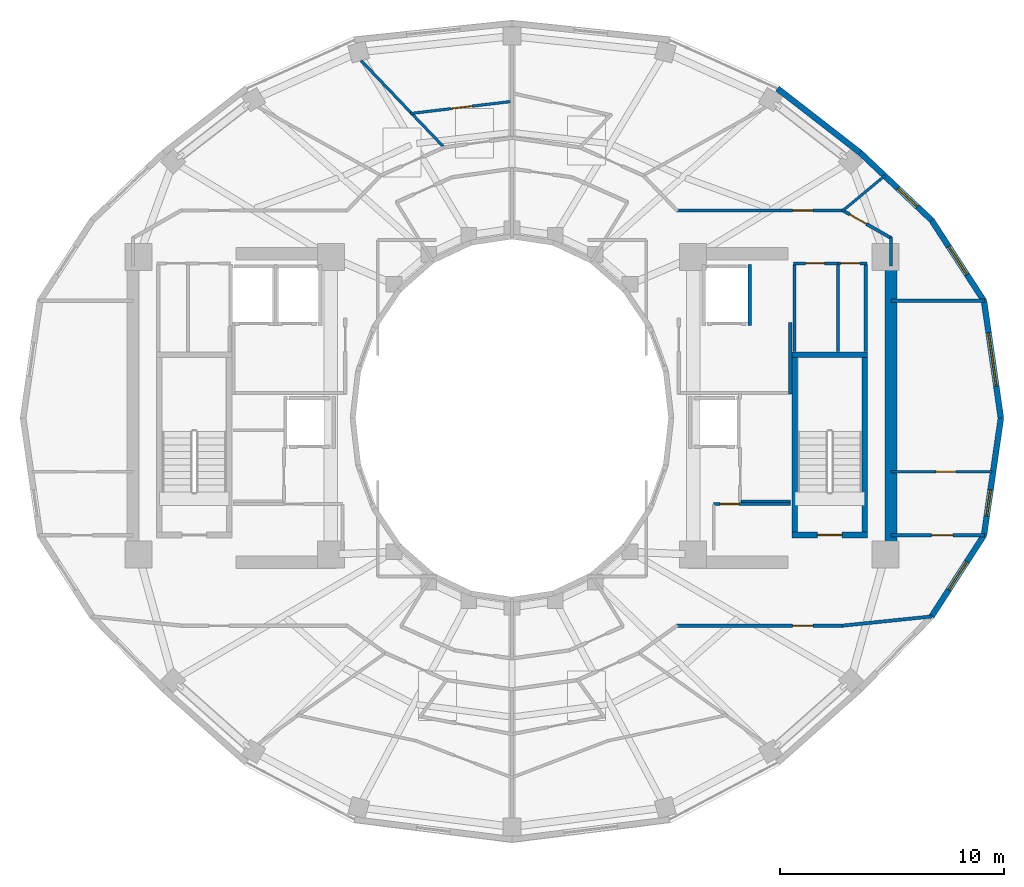
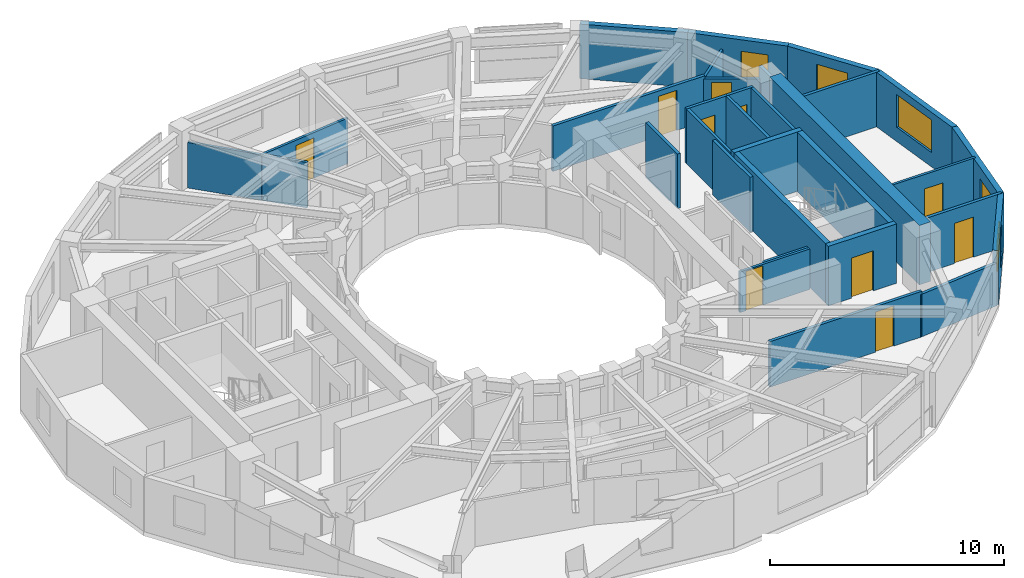
# One storey, part 13 of 16: 31 walls, 10 doors, 5 windows, 15 openings.
"""IFC4 building model written with IfcOpenShell, lengths in metres."""

from ifc_helpers import new_model, si_unit, direction, frame, frame_2d, origin, place, context, subcontext, project, spatial, rectangle, extrude, material, layer, layer_set, type_object, element, fill, save


model = new_model("IFC4")

# Units and contexts
model_context = context("Model", 3, precision=1e-05, world=origin(), true_north=direction((0.0, 1.0)))
body_context = subcontext(model_context, "Body", "Model", "MODEL_VIEW")
ifc_project = project(units=[si_unit("LENGTHUNIT", "METRE"), si_unit("AREAUNIT", "SQUARE_METRE"), si_unit("VOLUMEUNIT", "CUBIC_METRE"), si_unit("PLANEANGLEUNIT", "RADIAN"), si_unit("MASSUNIT", "GRAM", prefix="KILO")], contexts=[model_context])

# Site, building, storey
site_placement = place(None, origin())
site = spatial("IfcSite", under=ifc_project, at=site_placement, CompositionType="ELEMENT")
building_placement = place(site_placement, origin())
building = spatial("IfcBuilding", under=site, at=building_placement, Name="Solvane Sanctuary Tower", CompositionType="ELEMENT")
storey_placement = place(building_placement, frame((0.0, 0.0, 226.39990234375)))
storey = spatial("IfcBuildingStorey", under=building, at=storey_placement, Name="L69", CompositionType="ELEMENT", Elevation=226.39990234375)

# Walls
ifc_material_1 = material(Name="Concrete C50/60", Category="concrete")
ifc_layer_1 = layer(ifc_material_1, 0.550048828125, Name="Concrete C50/60")
ifc_layer_set_1 = layer_set([ifc_layer_1], Name="Concrete C50/60")
wall_type_1 = type_object("IfcWallType", Name="Wall W-CORE-550", PredefinedType="SHEAR", material=ifc_layer_set_1)
wall_1_placement = place(storey_placement, frame((48.949951171875, 17.050048828125, 0.0), z_axis=(0.0, 0.0, 1.0), x_axis=(0.0, 1.0, 0.0)))
element("IfcWall", 1, at=wall_1_placement, inside=storey, type_object=wall_type_1, Name="L69 Core Shear Wall EC-E", PredefinedType="SHEAR", context=body_context, shape_type="SweptSolid", body=[
    extrude(rectangle(XDim=12.800048828125, YDim=0.550048828125, at=frame_2d((6.39990234375, 0.0))), origin(), (0.0, 0.0, 1.0), 3.10009765625),
])
ifc_material_2 = material(Name="Acoustic Gypsum Partition Board")
ifc_layer_2 = layer(ifc_material_2, 0.14990234375, Name="Acoustic Gypsum Partition Board")
ifc_layer_set_2 = layer_set([ifc_layer_2], Name="Acoustic Gypsum Partition Board")
wall_type_2 = type_object("IfcWallType", Name="Wall W-CORR-150", PredefinedType="PARTITIONING", material=ifc_layer_set_2)
wall_2_placement = place(storey_placement, frame((44.449951171875, 24.080078125, 0.0), z_axis=(0.0, 0.0, 1.0), x_axis=(0.0, 1.0, 0.0)))
element("IfcWall", 2, at=wall_2_placement, inside=storey, type_object=wall_type_2, Name="L69 East Firefighting Lobby East Wall", PredefinedType="PARTITIONING", context=body_context, shape_type="SweptSolid", body=[
    extrude(rectangle(XDim=3.199951171875, YDim=0.14990234375, at=frame_2d((1.60009765625, 0.0))), origin(), (0.0, 0.0, 1.0), 2.85498046875),
])

# Wall, opening, door
wall_3_placement = place(storey_placement, frame((48.949951171875, 17.754638671875, 0.0), z_axis=(0.0, 0.0, 1.0), x_axis=(1.0, 0.0, 0.0)))
wall_3 = element("IfcWall", 3, at=wall_3_placement, inside=storey, type_object=wall_type_2, Name="L69 East Shoulder South Wall", PredefinedType="PARTITIONING", context=body_context, shape_type="SweptSolid", body=[
    extrude(rectangle(XDim=4.174560546875, YDim=0.14990234375, at=frame_2d((2.08740234375, 0.0))), origin(), (0.0, 0.0, 1.0), 2.85498046875),
])
opening_1_placement = place(wall_3_placement, frame((1.817138671875, 0.0, 0.0)))
opening_1 = element("IfcOpeningElement", 4, at=opening_1_placement, cuts=wall_3, Name="Opening D-L69-17", PredefinedType="OPENING", context=body_context, shape_type="SweptSolid", body=[
    extrude(rectangle(XDim=0.949951171875, YDim=2.10009765625, at=frame_2d((0.47509765625, 1.050048828125))), frame((0.0, 0.0849609375, 0.0), z_axis=(0.0, -1.0, 0.0), x_axis=(1.0, 0.0, 0.0)), (0.0, 0.0, 1.0), 0.169921875),
])
ifc_material_3 = material(Name="Engineered Tropical Hardwood", Category="wood")
door_type_1 = type_object("IfcDoorType", Name="Door D-ROOM-950", OperationType="NOTDEFINED", PredefinedType="DOOR", material=ifc_material_3)
door_1_placement = place(opening_1_placement, origin())
door_1 = element("IfcDoor", 5, at=door_1_placement, inside=storey, type_object=door_type_1, Name="L69 East Shoulder South Door", OperationType="SINGLE_SWING_RIGHT", OverallHeight=2.10009765625, OverallWidth=0.949951171875, PredefinedType="DOOR", context=body_context, shape_type="SweptSolid", body=[
    extrude(rectangle(XDim=0.949951171875, YDim=2.10009765625, at=frame_2d((0.47509765625, 1.050048828125))), frame((0.0, 0.02490234375, 0.0), z_axis=(0.0, -1.0, 0.0), x_axis=(1.0, 0.0, 0.0)), (0.0, 0.0, 1.0), 0.050048828125),
])
fill(opening_1, door_1)

# Walls
wall_4_placement = place(storey_placement, frame((48.949951171875, 28.245361328125, 0.0), z_axis=(0.0, 0.0, 1.0), x_axis=(1.0, 0.0, 0.0)))
element("IfcWall", 6, at=wall_4_placement, inside=storey, type_object=wall_type_2, Name="L69 East Shoulder North Wall", PredefinedType="PARTITIONING", context=body_context, shape_type="SweptSolid", body=[
    extrude(rectangle(XDim=4.174560546875, YDim=0.14990234375, at=frame_2d((2.08740234375, 0.0))), origin(), (0.0, 0.0, 1.0), 2.85498046875),
])
wall_5_placement = place(storey_placement, frame((48.949951171875, 29.800048828125, 0.0), z_axis=(0.0, 0.0, 1.0), x_axis=(0.0, 1.0, 0.0)))
element("IfcWall", 7, at=wall_5_placement, inside=storey, type_object=wall_type_2, Name="L69 NE Corner Closer 1", PredefinedType="PARTITIONING", context=body_context, shape_type="SweptSolid", body=[
    extrude(rectangle(XDim=1.2900390625, YDim=0.14990234375, at=frame_2d((0.64501953125, 0.0))), origin(), (0.0, 0.0, 1.0), 2.85498046875),
])

# Wall, opening, door
wall_6_placement = place(storey_placement, frame((39.330078125, 32.280029296875, 0.0), z_axis=(0.0, 0.0, 1.0), x_axis=(1.0, 0.0, 0.0)))
wall_6 = element("IfcWall", 8, at=wall_6_placement, inside=storey, type_object=wall_type_2, Name="L69 NE Corner Corridor Wall", PredefinedType="PARTITIONING", context=body_context, shape_type="SweptSolid", body=[
    extrude(rectangle(XDim=7.52001953125, YDim=0.14990234375, at=frame_2d((3.760009765625, 0.0))), origin(), (0.0, 0.0, 1.0), 2.3759765625),
])
opening_2_placement = place(wall_6_placement, frame((5.219970703125, 0.0, 0.0)))
opening_2 = element("IfcOpeningElement", 9, at=opening_2_placement, cuts=wall_6, Name="Opening D-L69-21", PredefinedType="OPENING", context=body_context, shape_type="SweptSolid", body=[
    extrude(rectangle(XDim=0.89990234375, YDim=2.10009765625, at=frame_2d((0.449951171875, 1.050048828125))), frame((0.0, 0.0849609375, 0.0), z_axis=(0.0, -1.0, 0.0), x_axis=(1.0, 0.0, 0.0)), (0.0, 0.0, 1.0), 0.169921875),
])
door_type_2 = type_object("IfcDoorType", Name="Door D-WET-900", OperationType="NOTDEFINED", PredefinedType="DOOR", material=ifc_material_3)
door_2_placement = place(opening_2_placement, origin())
door_2 = element("IfcDoor", 10, at=door_2_placement, inside=storey, type_object=door_type_2, Name="L69 NE Corner Salon Door", OperationType="SINGLE_SWING_RIGHT", OverallHeight=2.10009765625, OverallWidth=0.89990234375, PredefinedType="DOOR", context=body_context, shape_type="SweptSolid", body=[
    extrude(rectangle(XDim=0.89990234375, YDim=2.10009765625, at=frame_2d((0.449951171875, 1.050048828125))), frame((0.0, 0.02490234375, 0.0), z_axis=(0.0, -1.0, 0.0), x_axis=(1.0, 0.0, 0.0)), (0.0, 0.0, 1.0), 0.050048828125),
])
fill(opening_2, door_2)

wall_7_placement = place(storey_placement, frame((46.756591796875, 32.3046875, 0.0), z_axis=(0.0, 0.0, 1.0), x_axis=(0.867991349648, -0.496579315857, 0.0)))
wall_7 = element("IfcWall", 11, at=wall_7_placement, inside=storey, type_object=wall_type_2, Name="L69 NE Corner Wing Wall", PredefinedType="PARTITIONING", context=body_context, shape_type="SweptSolid", body=[
    extrude(rectangle(XDim=2.56689453125, YDim=0.14990234375, at=frame_2d((1.283447265625, 0.0))), origin(), (0.0, 0.0, 1.0), 2.22021484375),
])
opening_3_placement = place(wall_7_placement, frame((0.404052734375, 0.0, 0.0)))
opening_3 = element("IfcOpeningElement", 12, at=opening_3_placement, cuts=wall_7, Name="Opening D-L69-22", PredefinedType="OPENING", context=body_context, shape_type="SweptSolid", body=[
    extrude(rectangle(XDim=0.85009765625, YDim=2.050048828125, at=frame_2d((0.425048828125, 1.02490234375))), frame((0.0, 0.0849609375, 0.0), z_axis=(0.0, -1.0, 0.0), x_axis=(1.0, 0.0, 0.0)), (0.0, 0.0, 1.0), 0.169921875),
])
ifc_material_4 = material(Name="Architectural Stainless Steel 316", Category="steel")
door_type_3 = type_object("IfcDoorType", Name="Door D-RISER", OperationType="NOTDEFINED", PredefinedType="DOOR", material=ifc_material_4)
door_3_placement = place(opening_3_placement, origin())
door_3 = element("IfcDoor", 13, at=door_3_placement, inside=storey, type_object=door_type_3, Name="L69 NE Corner Suite Door", OperationType="SINGLE_SWING_LEFT", OverallHeight=2.050048828125, OverallWidth=0.85009765625, PredefinedType="DOOR", context=body_context, shape_type="SweptSolid", body=[
    extrude(rectangle(XDim=0.85009765625, YDim=2.050048828125, at=frame_2d((0.425048828125, 1.02490234375))), frame((0.0, 0.02490234375, 0.0), z_axis=(0.0, -1.0, 0.0), x_axis=(1.0, 0.0, 0.0)), (0.0, 0.0, 1.0), 0.050048828125),
])
fill(opening_3, door_3)

wall_8_placement = place(storey_placement, frame((39.330078125, 13.719970703125, 0.0), z_axis=(0.0, 0.0, 1.0), x_axis=(1.0, 0.0, 0.0)))
wall_8 = element("IfcWall", 14, at=wall_8_placement, inside=storey, type_object=wall_type_2, Name="L69 SE Corner Corridor Wall", PredefinedType="PARTITIONING", context=body_context, shape_type="SweptSolid", body=[
    extrude(rectangle(XDim=7.52001953125, YDim=0.14990234375, at=frame_2d((3.760009765625, 0.0))), origin(), (0.0, 0.0, 1.0), 2.3759765625),
])
opening_4_placement = place(wall_8_placement, frame((5.219970703125, 0.0, 0.0)))
opening_4 = element("IfcOpeningElement", 15, at=opening_4_placement, cuts=wall_8, Name="Opening D-L69-25", PredefinedType="OPENING", context=body_context, shape_type="SweptSolid", body=[
    extrude(rectangle(XDim=0.89990234375, YDim=2.10009765625, at=frame_2d((0.449951171875, 1.050048828125))), frame((0.0, 0.0849609375, 0.0), z_axis=(0.0, -1.0, 0.0), x_axis=(1.0, 0.0, 0.0)), (0.0, 0.0, 1.0), 0.169921875),
])
door_4_placement = place(opening_4_placement, origin())
door_4 = element("IfcDoor", 16, at=door_4_placement, inside=storey, type_object=door_type_2, Name="L69 SE Corner Salon Door", OperationType="SINGLE_SWING_RIGHT", OverallHeight=2.10009765625, OverallWidth=0.89990234375, PredefinedType="DOOR", context=body_context, shape_type="SweptSolid", body=[
    extrude(rectangle(XDim=0.89990234375, YDim=2.10009765625, at=frame_2d((0.449951171875, 1.050048828125))), frame((0.0, 0.02490234375, 0.0), z_axis=(0.0, -1.0, 0.0), x_axis=(1.0, 0.0, 0.0)), (0.0, 0.0, 1.0), 0.050048828125),
])
fill(opening_4, door_4)

# Wall
wall_9_placement = place(storey_placement, frame((46.750244140625, 13.71484375, 0.0), z_axis=(0.0, 0.0, 1.0), x_axis=(0.994734711466, 0.102483431859, 0.0)))
element("IfcWall", 17, at=wall_9_placement, inside=storey, type_object=wall_type_2, Name="L69 SE Corner Wing Wall", PredefinedType="PARTITIONING", context=body_context, shape_type="SweptSolid", body=[
    extrude(rectangle(XDim=4.04736328125, YDim=0.14990234375, at=frame_2d((2.023681640625, 0.0))), origin(), (0.0, 0.0, 1.0), 2.22021484375),
])

# Wall, opening, window
ifc_material_5 = material(Name="Precast concrete C40/50", Category="concrete")
ifc_layer_3 = layer(ifc_material_5, 0.260009765625, Name="Precast concrete C40/50")
ifc_layer_set_3 = layer_set([ifc_layer_3], Name="Precast concrete C40/50")
wall_type_3 = type_object("IfcWallType", Name="Wall W-EXT-250", PredefinedType="STANDARD", material=ifc_layer_set_3)
wall_10_placement = place(storey_placement, frame((53.860107421875, 23.0, 0.0), z_axis=(0.0, 0.0, 1.0), x_axis=(-0.142712754019, 0.989764148593, 0.0)))
wall_10 = element("IfcWall", 18, at=wall_10_placement, inside=storey, type_object=wall_type_3, Name="L69 Ceramic-Printed Facade Wall 00", PredefinedType="STANDARD", context=body_context, shape_type="SweptSolid", body=[
    extrude(rectangle(XDim=5.29296875, YDim=0.260009765625, at=frame_2d((2.646484375, 0.0))), origin(), (0.0, 0.0, 1.0), 2.85009765625),
])
opening_5_placement = place(wall_10_placement, frame((1.446533203125, 0.0, 0.75)))
opening_5 = element("IfcOpeningElement", 19, at=opening_5_placement, cuts=wall_10, Name="Opening WN-RIB-2400", PredefinedType="OPENING", context=body_context, shape_type="SweptSolid", body=[
    extrude(rectangle(XDim=2.39990234375, YDim=1.699951171875, at=frame_2d((1.199951171875, 0.85009765625))), frame((0.0, 0.139892578125, 0.0), z_axis=(0.0, -1.0, 0.0), x_axis=(1.0, 0.0, 0.0)), (0.0, 0.0, 1.0), 0.280029296875),
])
ifc_material_6 = material(Name="Dark Ceramic-Fritted Low-E Glass", Category="glass")
window_type_1 = type_object("IfcWindowType", Name="Window WN-RIB-2400", PartitioningType="SINGLE_PANEL", PredefinedType="WINDOW", material=ifc_material_6)
window_1_placement = place(opening_5_placement, origin())
window_1 = element("IfcWindow", 20, at=window_1_placement, inside=storey, type_object=window_type_1, Name="L69 Operable Facade Window 00", OverallHeight=1.699951171875, OverallWidth=2.39990234375, PartitioningType="SINGLE_PANEL", PredefinedType="WINDOW", context=body_context, shape_type="SweptSolid", body=[
    extrude(rectangle(XDim=2.39990234375, YDim=1.699951171875, at=frame_2d((1.199951171875, 0.85009765625))), frame((0.0, 0.030029296875, 0.0), z_axis=(0.0, -1.0, 0.0), x_axis=(1.0, 0.0, 0.0)), (0.0, 0.0, 1.0), 0.06005859375),
])
fill(opening_5, window_1)

wall_11_placement = place(storey_placement, frame((53.104736328125, 28.23876953125, 0.0), z_axis=(0.0, 0.0, 1.0), x_axis=(-0.544475908819, 0.838776480784, 0.0)))
wall_11 = element("IfcWall", 21, at=wall_11_placement, inside=storey, type_object=wall_type_3, Name="L69 Ceramic-Printed Facade Wall 01", PredefinedType="STANDARD", context=body_context, shape_type="SweptSolid", body=[
    extrude(rectangle(XDim=4.3046875, YDim=0.260009765625, at=frame_2d((2.15234375, 0.0))), origin(), (0.0, 0.0, 1.0), 2.85009765625),
])
opening_6_placement = place(wall_11_placement, frame((1.40234375, 0.0, 0.75)))
opening_6 = element("IfcOpeningElement", 22, at=opening_6_placement, cuts=wall_11, Name="Opening WN-OPER-1500", PredefinedType="OPENING", context=body_context, shape_type="SweptSolid", body=[
    extrude(rectangle(XDim=1.5, YDim=1.60009765625, at=frame_2d((0.75, 0.800048828125))), frame((0.0, 0.139892578125, 0.0), z_axis=(0.0, -1.0, 0.0), x_axis=(1.0, 0.0, 0.0)), (0.0, 0.0, 1.0), 0.280029296875),
])
window_type_2 = type_object("IfcWindowType", Name="Window WN-OPER-1500", PartitioningType="SINGLE_PANEL", PredefinedType="WINDOW", material=ifc_material_6)
window_2_placement = place(opening_6_placement, origin())
window_2 = element("IfcWindow", 23, at=window_2_placement, inside=storey, type_object=window_type_2, Name="L69 Operable Facade Window 01", OverallHeight=1.60009765625, OverallWidth=1.5, PartitioningType="SINGLE_PANEL", PredefinedType="WINDOW", context=body_context, shape_type="SweptSolid", body=[
    extrude(rectangle(XDim=1.5, YDim=1.60009765625, at=frame_2d((0.75, 0.800048828125))), frame((0.0, 0.030029296875, 0.0), z_axis=(0.0, -1.0, 0.0), x_axis=(1.0, 0.0, 0.0)), (0.0, 0.0, 1.0), 0.06005859375),
])
fill(opening_6, window_2)

wall_12_placement = place(storey_placement, frame((50.760986328125, 31.849365234375, 0.0), z_axis=(0.0, 0.0, 1.0), x_axis=(-0.72731899451, 0.686299555752, 0.0)))
wall_12 = element("IfcWall", 24, at=wall_12_placement, inside=storey, type_object=wall_type_3, Name="L69 Ceramic-Printed Facade Wall 02", PredefinedType="STANDARD", context=body_context, shape_type="SweptSolid", body=[
    extrude(rectangle(XDim=4.404296875, YDim=0.260009765625, at=frame_2d((2.2021484375, 0.0))), origin(), (0.0, 0.0, 1.0), 2.85009765625),
])
opening_7_placement = place(wall_12_placement, frame((0.8671875, 0.0, 0.75)))
opening_7 = element("IfcOpeningElement", 25, at=opening_7_placement, cuts=wall_12, Name="Opening WN-OPER-1200", PredefinedType="OPENING", context=body_context, shape_type="SweptSolid", body=[
    extrude(rectangle(XDim=1.199951171875, YDim=1.5, at=frame_2d((0.60009765625, 0.75))), frame((0.0, 0.139892578125, 0.0), z_axis=(0.0, -1.0, 0.0), x_axis=(1.0, 0.0, 0.0)), (0.0, 0.0, 1.0), 0.280029296875),
])
window_type_3 = type_object("IfcWindowType", Name="Window WN-OPER-1200", PartitioningType="SINGLE_PANEL", PredefinedType="WINDOW", material=ifc_material_6)
window_3_placement = place(opening_7_placement, origin())
window_3 = element("IfcWindow", 26, at=window_3_placement, inside=storey, type_object=window_type_3, Name="L69 Operable Facade Window 02", OverallHeight=1.5, OverallWidth=1.199951171875, PartitioningType="SINGLE_PANEL", PredefinedType="WINDOW", context=body_context, shape_type="SweptSolid", body=[
    extrude(rectangle(XDim=1.199951171875, YDim=1.5, at=frame_2d((0.60009765625, 0.75))), frame((0.0, 0.030029296875, 0.0), z_axis=(0.0, -1.0, 0.0), x_axis=(1.0, 0.0, 0.0)), (0.0, 0.0, 1.0), 0.06005859375),
])
fill(opening_7, window_3)

# Wall
wall_13_placement = place(storey_placement, frame((47.5576171875, 34.8720703125, 0.0), z_axis=(0.0, 0.0, 1.0), x_axis=(-0.790126214723, 0.612944177563, 0.0)))
element("IfcWall", 27, at=wall_13_placement, inside=storey, type_object=wall_type_3, Name="L69 Ceramic-Printed Facade Wall 03", PredefinedType="STANDARD", context=body_context, shape_type="SweptSolid", body=[
    extrude(rectangle(XDim=4.6669921875, YDim=0.260009765625, at=frame_2d((2.33349609375, 0.0))), origin(), (0.0, 0.0, 1.0), 2.85009765625),
])

# Wall, opening, window
wall_14_placement = place(storey_placement, frame((50.760986328125, 14.13330078125, 0.0), z_axis=(0.0, 0.0, 1.0), x_axis=(0.542641766008, 0.839964233634, 0.0)))
wall_14 = element("IfcWall", 28, at=wall_14_placement, inside=storey, type_object=wall_type_3, Name="L69 Ceramic-Printed Facade Wall 22", PredefinedType="STANDARD", context=body_context, shape_type="SweptSolid", body=[
    extrude(rectangle(XDim=4.319091796875, YDim=0.260009765625, at=frame_2d((2.15966796875, 0.0))), origin(), (0.0, 0.0, 1.0), 2.85009765625),
])
opening_8_placement = place(wall_14_placement, frame((1.40966796875, 0.0, 0.75)))
opening_8 = element("IfcOpeningElement", 29, at=opening_8_placement, cuts=wall_14, Name="Opening WN-OPER-1500", PredefinedType="OPENING", context=body_context, shape_type="SweptSolid", body=[
    extrude(rectangle(XDim=1.5, YDim=1.60009765625, at=frame_2d((0.75, 0.800048828125))), frame((0.0, 0.139892578125, 0.0), z_axis=(0.0, -1.0, 0.0), x_axis=(1.0, 0.0, 0.0)), (0.0, 0.0, 1.0), 0.280029296875),
])
window_4_placement = place(opening_8_placement, origin())
window_4 = element("IfcWindow", 30, at=window_4_placement, inside=storey, type_object=window_type_2, Name="L69 Operable Facade Window 22", OverallHeight=1.60009765625, OverallWidth=1.5, PartitioningType="SINGLE_PANEL", PredefinedType="WINDOW", context=body_context, shape_type="SweptSolid", body=[
    extrude(rectangle(XDim=1.5, YDim=1.60009765625, at=frame_2d((0.75, 0.800048828125))), frame((0.0, 0.030029296875, 0.0), z_axis=(0.0, -1.0, 0.0), x_axis=(1.0, 0.0, 0.0)), (0.0, 0.0, 1.0), 0.06005859375),
])
fill(opening_8, window_4)

wall_15_placement = place(storey_placement, frame((53.104736328125, 17.76123046875, 0.0), z_axis=(0.0, 0.0, 1.0), x_axis=(0.142712754019, 0.989764148593, 0.0)))
wall_15 = element("IfcWall", 31, at=wall_15_placement, inside=storey, type_object=wall_type_3, Name="L69 Ceramic-Printed Facade Wall 23", PredefinedType="STANDARD", context=body_context, shape_type="SweptSolid", body=[
    extrude(rectangle(XDim=5.29296875, YDim=0.260009765625, at=frame_2d((2.646484375, 0.0))), origin(), (0.0, 0.0, 1.0), 2.85009765625),
])
opening_9_placement = place(wall_15_placement, frame((0.859130859375, 0.0, 0.75)))
opening_9 = element("IfcOpeningElement", 32, at=opening_9_placement, cuts=wall_15, Name="Opening WN-OPER-1200", PredefinedType="OPENING", context=body_context, shape_type="SweptSolid", body=[
    extrude(rectangle(XDim=1.199951171875, YDim=1.5, at=frame_2d((0.60009765625, 0.75))), frame((0.0, 0.139892578125, 0.0), z_axis=(0.0, -1.0, 0.0), x_axis=(1.0, 0.0, 0.0)), (0.0, 0.0, 1.0), 0.280029296875),
])
window_5_placement = place(opening_9_placement, origin())
window_5 = element("IfcWindow", 33, at=window_5_placement, inside=storey, type_object=window_type_3, Name="L69 Operable Facade Window 23", OverallHeight=1.5, OverallWidth=1.199951171875, PartitioningType="SINGLE_PANEL", PredefinedType="WINDOW", context=body_context, shape_type="SweptSolid", body=[
    extrude(rectangle(XDim=1.199951171875, YDim=1.5, at=frame_2d((0.60009765625, 0.75))), frame((0.0, 0.030029296875, 0.0), z_axis=(0.0, -1.0, 0.0), x_axis=(1.0, 0.0, 0.0)), (0.0, 0.0, 1.0), 0.06005859375),
])
fill(opening_9, window_5)

# Wall, opening, door
ifc_layer_4 = layer(ifc_material_2, 0.1201171875, Name="Acoustic Gypsum Partition Board")
ifc_layer_set_4 = layer_set([ifc_layer_4], Name="Acoustic Gypsum Partition Board")
wall_type_4 = type_object("IfcWallType", Name="Wall W-MOV-100", PredefinedType="MOVABLE", material=ifc_layer_set_4)
wall_16_placement = place(storey_placement, frame((48.949951171875, 20.60009765625, 0.0), z_axis=(0.0, 0.0, 1.0), x_axis=(1.0, 0.0, 0.0)))
wall_16 = element("IfcWall", 34, at=wall_16_placement, inside=storey, type_object=wall_type_4, Name="L69 East Suite Partition", PredefinedType="MOVABLE", context=body_context, shape_type="SweptSolid", body=[
    extrude(rectangle(XDim=4.5244140625, YDim=0.1201171875, at=frame_2d((2.26220703125, 0.0))), origin(), (0.0, 0.0, 1.0), 2.85498046875),
])
opening_10_placement = place(wall_16_placement, frame((2.0, 0.0, 0.0)))
opening_10 = element("IfcOpeningElement", 35, at=opening_10_placement, cuts=wall_16, Name="Opening D-L69-18", PredefinedType="OPENING", context=body_context, shape_type="SweptSolid", body=[
    extrude(rectangle(XDim=0.89990234375, YDim=2.10009765625, at=frame_2d((0.449951171875, 1.050048828125))), frame((0.0, 0.070068359375, 0.0), z_axis=(0.0, -1.0, 0.0), x_axis=(1.0, 0.0, 0.0)), (0.0, 0.0, 1.0), 0.14013671875),
])
door_5_placement = place(opening_10_placement, origin())
door_5 = element("IfcDoor", 36, at=door_5_placement, inside=storey, type_object=door_type_2, Name="L69 East Suite Internal Door", OperationType="SINGLE_SWING_LEFT", OverallHeight=2.10009765625, OverallWidth=0.89990234375, PredefinedType="DOOR", context=body_context, shape_type="SweptSolid", body=[
    extrude(rectangle(XDim=0.89990234375, YDim=2.10009765625, at=frame_2d((0.449951171875, 1.050048828125))), frame((0.0, 0.02490234375, 0.0), z_axis=(0.0, -1.0, 0.0), x_axis=(1.0, 0.0, 0.0)), (0.0, 0.0, 1.0), 0.050048828125),
])
fill(opening_10, door_5)

# Wall
wall_17_placement = place(storey_placement, frame((46.76171875, 32.248046875, 0.0), z_axis=(0.0, 0.0, 1.0), x_axis=(0.76890954941, 0.639357571962, 0.0)))
element("IfcWall", 37, at=wall_17_placement, inside=storey, type_object=wall_type_4, Name="L69 NE Corner Suite Partition", PredefinedType="MOVABLE", context=body_context, shape_type="SweptSolid", body=[
    extrude(rectangle(XDim=2.498779296875, YDim=0.1201171875, at=frame_2d((1.24951171875, 0.0))), origin(), (0.0, 0.0, 1.0), 2.22021484375),
])

# Wall, opening, door
wall_18_placement = place(storey_placement, frame((32.049560546875, 37.165771484375, 0.0), z_axis=(0.0, 0.0, 1.0), x_axis=(-0.992963303559, -0.118422454736, 0.0)))
wall_18 = element("IfcWall", 38, at=wall_18_placement, inside=storey, type_object=wall_type_4, Name="L69 Suite Sitting Lounge Partition N2", PredefinedType="MOVABLE", context=body_context, shape_type="SweptSolid", body=[
    extrude(rectangle(XDim=4.6220703125, YDim=0.1201171875, at=frame_2d((2.31103515625, 0.0))), origin(), (0.0, 0.0, 1.0), 2.3759765625),
])
opening_11_placement = place(wall_18_placement, frame((1.836181640625, 0.0, 0.0)))
opening_11 = element("IfcOpeningElement", 39, at=opening_11_placement, cuts=wall_18, Name="Opening D-L69-28", PredefinedType="OPENING", context=body_context, shape_type="SweptSolid", body=[
    extrude(rectangle(XDim=0.949951171875, YDim=2.10009765625, at=frame_2d((0.47509765625, 1.050048828125))), frame((0.0, 0.070068359375, 0.0), z_axis=(0.0, -1.0, 0.0), x_axis=(1.0, 0.0, 0.0)), (0.0, 0.0, 1.0), 0.14013671875),
])
door_6_placement = place(opening_11_placement, origin())
door_6 = element("IfcDoor", 40, at=door_6_placement, inside=storey, type_object=door_type_1, Name="L69 Suite Sitting Lounge Door N2", OperationType="SINGLE_SWING_LEFT", OverallHeight=2.10009765625, OverallWidth=0.949951171875, PredefinedType="DOOR", context=body_context, shape_type="SweptSolid", body=[
    extrude(rectangle(XDim=0.949951171875, YDim=2.10009765625, at=frame_2d((0.47509765625, 1.050048828125))), frame((0.0, 0.02490234375, 0.0), z_axis=(0.0, -1.0, 0.0), x_axis=(1.0, 0.0, 0.0)), (0.0, 0.0, 1.0), 0.050048828125),
])
fill(opening_11, door_6)

ifc_layer_5 = layer(ifc_material_2, 0.125, Name="Acoustic Gypsum Partition Board")
ifc_layer_set_5 = layer_set([ifc_layer_5], Name="Acoustic Gypsum Partition Board")
wall_type_5 = type_object("IfcWallType", Name="Wall W-PART-125", PredefinedType="PARTITIONING", material=ifc_layer_set_5)
wall_19_placement = place(storey_placement, frame((41.0, 19.159912109375, 0.0), z_axis=(0.0, 0.0, 1.0), x_axis=(1.0, 0.0, 0.0)))
wall_19 = element("IfcWall", 41, at=wall_19_placement, inside=storey, type_object=wall_type_5, Name="L69 Reclaimed Room Partition PLE", PredefinedType="PARTITIONING", context=body_context, shape_type="SweptSolid", body=[
    extrude(rectangle(XDim=3.449951171875, YDim=0.125, at=frame_2d((1.72509765625, 0.0))), origin(), (0.0, 0.0, 1.0), 2.1201171875),
])
opening_12_placement = place(wall_19_placement, frame((0.292724609375, 0.0, 0.0)))
opening_12 = element("IfcOpeningElement", 42, at=opening_12_placement, cuts=wall_19, Name="Opening D-L69-06", PredefinedType="OPENING", context=body_context, shape_type="SweptSolid", body=[
    extrude(rectangle(XDim=0.85009765625, YDim=2.050048828125, at=frame_2d((0.425048828125, 1.02490234375))), frame((0.0, 0.072509765625, 0.0), z_axis=(0.0, -1.0, 0.0), x_axis=(1.0, 0.0, 0.0)), (0.0, 0.0, 1.0), 0.14501953125),
])
door_7_placement = place(opening_12_placement, origin())
door_7 = element("IfcDoor", 43, at=door_7_placement, inside=storey, type_object=door_type_3, Name="L69 Reclaimed Room Door PLE-1", OperationType="SINGLE_SWING_LEFT", OverallHeight=2.050048828125, OverallWidth=0.85009765625, PredefinedType="DOOR", context=body_context, shape_type="SweptSolid", body=[
    extrude(rectangle(XDim=0.85009765625, YDim=2.050048828125, at=frame_2d((0.425048828125, 1.02490234375))), frame((0.0, 0.02490234375, 0.0), z_axis=(0.0, -1.0, 0.0), x_axis=(1.0, 0.0, 0.0)), (0.0, 0.0, 1.0), 0.050048828125),
])
fill(opening_12, door_7)

# Walls
wall_20_placement = place(storey_placement, frame((42.239990234375, 19.280029296875, 0.0), z_axis=(0.0, 0.0, 1.0), x_axis=(1.0, 0.0, 0.0)))
element("IfcWall", 44, at=wall_20_placement, inside=storey, type_object=wall_type_5, Name="L69 Reclaimed Room Closer Wall PME-1", PredefinedType="PARTITIONING", context=body_context, shape_type="SweptSolid", body=[
    extrude(rectangle(XDim=2.2099609375, YDim=0.125, at=frame_2d((1.10498046875, 0.0))), origin(), (0.0, 0.0, 1.0), 2.1201171875),
])
wall_21_placement = place(storey_placement, frame((28.926025390625, 35.142822265625, 0.0), z_axis=(0.0, 0.0, 1.0), x_axis=(-0.691128003726, 0.722732372642, 0.0)))
element("IfcWall", 45, at=wall_21_placement, inside=storey, type_object=wall_type_5, Name="L69 Radial Compartment Wall 105", PredefinedType="PARTITIONING", context=body_context, shape_type="SweptSolid", body=[
    extrude(rectangle(XDim=5.330078125, YDim=0.125, at=frame_2d((2.6650390625, 0.0))), origin(), (0.0, 0.0, 1.0), 2.3759765625),
])
ifc_layer_6 = layer(ifc_material_1, 0.14990234375, Name="Concrete C50/60")
ifc_layer_set_6 = layer_set([ifc_layer_6], Name="Concrete C50/60")
wall_type_6 = type_object("IfcWallType", Name="Wall W-SHAFT-150", PredefinedType="SOLIDWALL", material=ifc_layer_set_6)
wall_22_placement = place(storey_placement, frame((42.6298828125, 27.139892578125, 0.0), z_axis=(0.0, 0.0, 1.0), x_axis=(0.0, 1.0, 0.0)))
element("IfcWall", 46, at=wall_22_placement, inside=storey, type_object=wall_type_6, Name="L69 FFL-2 Lift Shaft Wall S2", PredefinedType="SOLIDWALL", context=body_context, shape_type="SweptSolid", body=[
    extrude(rectangle(XDim=2.72021484375, YDim=0.14990234375, at=frame_2d((1.360107421875, 0.0))), origin(), (0.0, 0.0, 1.0), 2.85498046875),
])

# Wall, opening, door
ifc_layer_7 = layer(ifc_material_1, 0.25, Name="Concrete C50/60")
ifc_layer_set_7 = layer_set([ifc_layer_7], Name="Concrete C50/60")
wall_type_7 = type_object("IfcWallType", Name="Wall W-SHAFT-250", PredefinedType="SOLIDWALL", material=ifc_layer_set_7)
wall_23_placement = place(storey_placement, frame((44.52490234375, 17.77001953125, 0.0), z_axis=(0.0, 0.0, 1.0), x_axis=(1.0, 0.0, 0.0)))
wall_23 = element("IfcWall", 47, at=wall_23_placement, inside=storey, type_object=wall_type_7, Name="L69 ST-2 Load-Bearing Shaft Wall S", PredefinedType="SOLIDWALL", context=body_context, shape_type="SweptSolid", body=[
    extrude(rectangle(XDim=3.3701171875, YDim=0.25, at=frame_2d((1.68505859375, 0.0))), origin(), (0.0, 0.0, 1.0), 3.10009765625),
])
opening_13_placement = place(wall_23_placement, frame((1.135009765625, 0.0, 0.0)))
opening_13 = element("IfcOpeningElement", 48, at=opening_13_placement, cuts=wall_23, Name="Opening D-L69-02", PredefinedType="OPENING", context=body_context, shape_type="SweptSolid", body=[
    extrude(rectangle(XDim=1.10009765625, YDim=2.10009765625, at=frame_2d((0.550048828125, 1.050048828125))), frame((0.0, 0.135009765625, 0.0), z_axis=(0.0, -1.0, 0.0), x_axis=(1.0, 0.0, 0.0)), (0.0, 0.0, 1.0), 0.27001953125),
])
door_type_4 = type_object("IfcDoorType", Name="Door D-STAIR", OperationType="NOTDEFINED", PredefinedType="DOOR", material=ifc_material_4)
door_8_placement = place(opening_13_placement, origin())
door_8 = element("IfcDoor", 49, at=door_8_placement, inside=storey, type_object=door_type_4, Name="L69 ST-2 Exit Stair Fire Door", OperationType="SINGLE_SWING_RIGHT", OverallHeight=2.10009765625, OverallWidth=1.10009765625, PredefinedType="DOOR", context=body_context, shape_type="SweptSolid", body=[
    extrude(rectangle(XDim=1.10009765625, YDim=2.10009765625, at=frame_2d((0.550048828125, 1.050048828125))), frame((0.0, 0.02490234375, 0.0), z_axis=(0.0, -1.0, 0.0), x_axis=(1.0, 0.0, 0.0)), (0.0, 0.0, 1.0), 0.050048828125),
])
fill(opening_13, door_8)

# Walls
wall_24_placement = place(storey_placement, frame((44.52490234375, 25.830078125, 0.0), z_axis=(0.0, 0.0, 1.0), x_axis=(1.0, 0.0, 0.0)))
element("IfcWall", 50, at=wall_24_placement, inside=storey, type_object=wall_type_7, Name="L69 ST-2 Load-Bearing Shaft Wall N", PredefinedType="SOLIDWALL", context=body_context, shape_type="SweptSolid", body=[
    extrude(rectangle(XDim=3.3701171875, YDim=0.25, at=frame_2d((1.68505859375, 0.0))), origin(), (0.0, 0.0, 1.0), 3.10009765625),
])
for number, where, z_axis, x_axis, name in (
    (51, (44.64990234375, 17.89501953125, 0.0), (0.0, 0.0, 1.0), (0.0, 1.0, 0.0), "L69 ST-2 Load-Bearing Shaft Wall W"),
    (52, (47.77001953125, 17.89501953125, 0.0), (0.0, 0.0, 1.0), (0.0, 1.0, 0.0), "L69 ST-2 Load-Bearing Shaft Wall E"),
):
    element("IfcWall", number, at=place(storey_placement, frame(where, z_axis=z_axis, x_axis=x_axis)), inside=storey, type_object=wall_type_7, Name=name, PredefinedType="SOLIDWALL", context=body_context, shape_type="SweptSolid", body=[
        extrude(rectangle(XDim=7.81005859375, YDim=0.25, at=frame_2d((3.905029296875, 0.0))), origin(), (0.0, 0.0, 1.0), 3.10009765625),
    ])

# Wall, opening, door
ifc_layer_8 = layer(ifc_material_2, 0.139892578125, Name="Acoustic Gypsum Partition Board")
ifc_layer_set_8 = layer_set([ifc_layer_8], Name="Acoustic Gypsum Partition Board")
wall_type_8 = type_object("IfcWallType", Name="Wall W-WET-140", PredefinedType="PLUMBINGWALL", material=ifc_layer_set_8)
wall_25_placement = place(storey_placement, frame((44.580078125, 29.919921875, 0.0), z_axis=(0.0, 0.0, 1.0), x_axis=(1.0, 0.0, 0.0)))
wall_25 = element("IfcWall", 53, at=wall_25_placement, inside=storey, type_object=wall_type_8, Name="L69 Core Service Front Wall KE1", PredefinedType="PLUMBINGWALL", context=body_context, shape_type="SweptSolid", body=[
    extrude(rectangle(XDim=2.0, YDim=0.139892578125, at=frame_2d((1.0, 0.0))), origin(), (0.0, 0.0, 1.0), 2.85498046875),
])
opening_14_placement = place(wall_25_placement, frame((0.550048828125, 0.0, 0.0)))
opening_14 = element("IfcOpeningElement", 54, at=opening_14_placement, cuts=wall_25, Name="Opening D-L69-11", PredefinedType="OPENING", context=body_context, shape_type="SweptSolid", body=[
    extrude(rectangle(XDim=0.85009765625, YDim=2.050048828125, at=frame_2d((0.425048828125, 1.02490234375))), frame((0.0, 0.079833984375, 0.0), z_axis=(0.0, -1.0, 0.0), x_axis=(1.0, 0.0, 0.0)), (0.0, 0.0, 1.0), 0.159912109375),
])
door_9_placement = place(opening_14_placement, origin())
door_9 = element("IfcDoor", 55, at=door_9_placement, inside=storey, type_object=door_type_3, Name="L69 Core Service Room Door KE1-1", OperationType="SINGLE_SWING_RIGHT", OverallHeight=2.050048828125, OverallWidth=0.85009765625, PredefinedType="DOOR", context=body_context, shape_type="SweptSolid", body=[
    extrude(rectangle(XDim=0.85009765625, YDim=2.050048828125, at=frame_2d((0.425048828125, 1.02490234375))), frame((0.0, 0.02490234375, 0.0), z_axis=(0.0, -1.0, 0.0), x_axis=(1.0, 0.0, 0.0)), (0.0, 0.0, 1.0), 0.050048828125),
])
fill(opening_14, door_9)

# Walls
for number, where, z_axis, x_axis, name in (
    (56, (44.639892578125, 25.97998046875, 0.0), (0.0, 0.0, 1.0), (0.0, 1.0, 0.0), "L69 Core Service Side Wall KE1-1"),
    (57, (46.580078125, 25.97998046875, 0.0), (0.0, 0.0, 1.0), (0.0, 1.0, 0.0), "L69 Core Service Side Wall KE1-2"),
):
    element("IfcWall", number, at=place(storey_placement, frame(where, z_axis=z_axis, x_axis=x_axis)), inside=storey, type_object=wall_type_8, Name=name, PredefinedType="PLUMBINGWALL", context=body_context, shape_type="SweptSolid", body=[
        extrude(rectangle(XDim=3.880126953125, YDim=0.139892578125, at=frame_2d((1.93994140625, 0.0))), origin(), (0.0, 0.0, 1.0), 2.85498046875),
    ])

# Wall, opening, door
wall_26_placement = place(storey_placement, frame((46.580078125, 29.919921875, 0.0), z_axis=(0.0, 0.0, 1.0), x_axis=(1.0, 0.0, 0.0)))
wall_26 = element("IfcWall", 58, at=wall_26_placement, inside=storey, type_object=wall_type_8, Name="L69 Core Service Front Wall KE2", PredefinedType="PLUMBINGWALL", context=body_context, shape_type="SweptSolid", body=[
    extrude(rectangle(XDim=1.2998046875, YDim=0.139892578125, at=frame_2d((0.64990234375, 0.0))), origin(), (0.0, 0.0, 1.0), 2.85498046875),
])
opening_15_placement = place(wall_26_placement, frame((0.1201171875, 0.0, 0.0)))
opening_15 = element("IfcOpeningElement", 59, at=opening_15_placement, cuts=wall_26, Name="Opening D-L69-12", PredefinedType="OPENING", context=body_context, shape_type="SweptSolid", body=[
    extrude(rectangle(XDim=0.85009765625, YDim=2.050048828125, at=frame_2d((0.425048828125, 1.02490234375))), frame((0.0, 0.079833984375, 0.0), z_axis=(0.0, -1.0, 0.0), x_axis=(1.0, 0.0, 0.0)), (0.0, 0.0, 1.0), 0.159912109375),
])
door_10_placement = place(opening_15_placement, origin())
door_10 = element("IfcDoor", 60, at=door_10_placement, inside=storey, type_object=door_type_3, Name="L69 Core Service Room Door KE2-1", OperationType="SINGLE_SWING_LEFT", OverallHeight=2.050048828125, OverallWidth=0.85009765625, PredefinedType="DOOR", context=body_context, shape_type="SweptSolid", body=[
    extrude(rectangle(XDim=0.85009765625, YDim=2.050048828125, at=frame_2d((0.425048828125, 1.02490234375))), frame((0.0, 0.02490234375, 0.0), z_axis=(0.0, -1.0, 0.0), x_axis=(1.0, 0.0, 0.0)), (0.0, 0.0, 1.0), 0.050048828125),
])
fill(opening_15, door_10)

# Wall
wall_27_placement = place(storey_placement, frame((47.820068359375, 25.97998046875, 0.0), z_axis=(0.0, 0.0, 1.0), x_axis=(0.0, 1.0, 0.0)))
element("IfcWall", 61, at=wall_27_placement, inside=storey, type_object=wall_type_8, Name="L69 Core Service Side Wall KE2-1", PredefinedType="PLUMBINGWALL", context=body_context, shape_type="SweptSolid", body=[
    extrude(rectangle(XDim=3.880126953125, YDim=0.139892578125, at=frame_2d((1.93994140625, 0.0))), origin(), (0.0, 0.0, 1.0), 2.85498046875),
])

save(model, "model.ifc")
